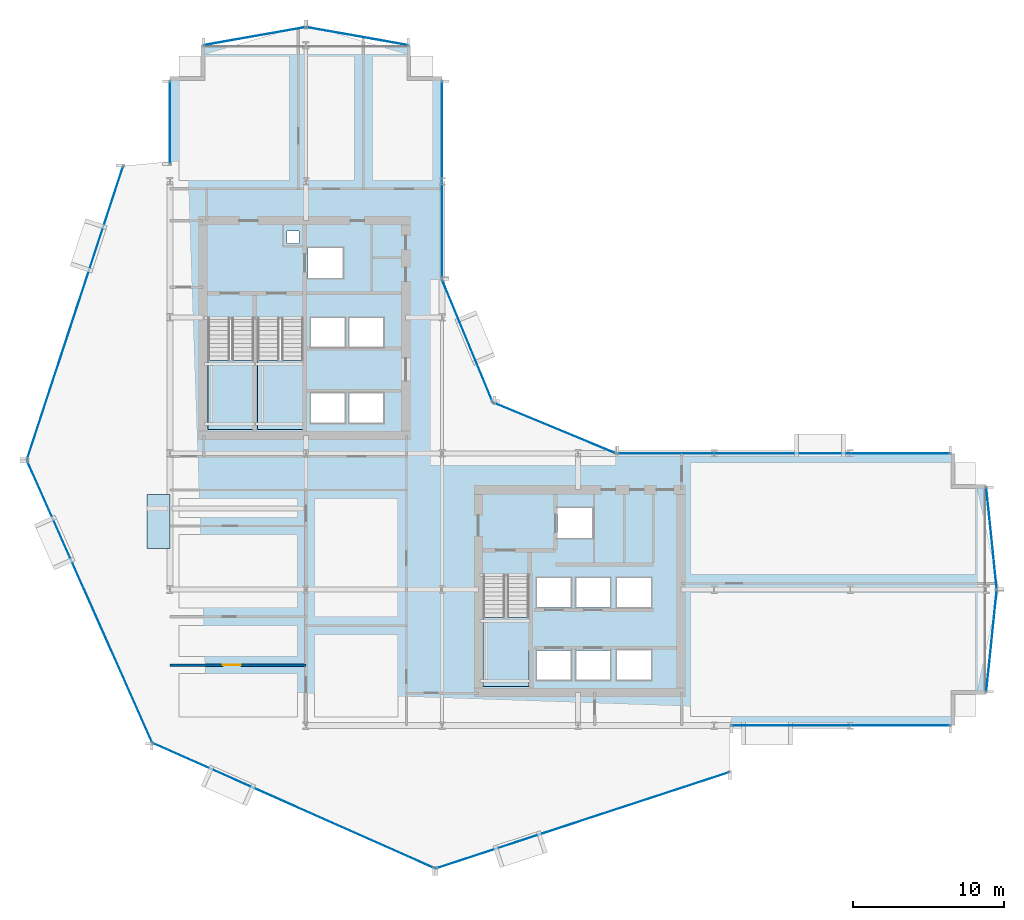
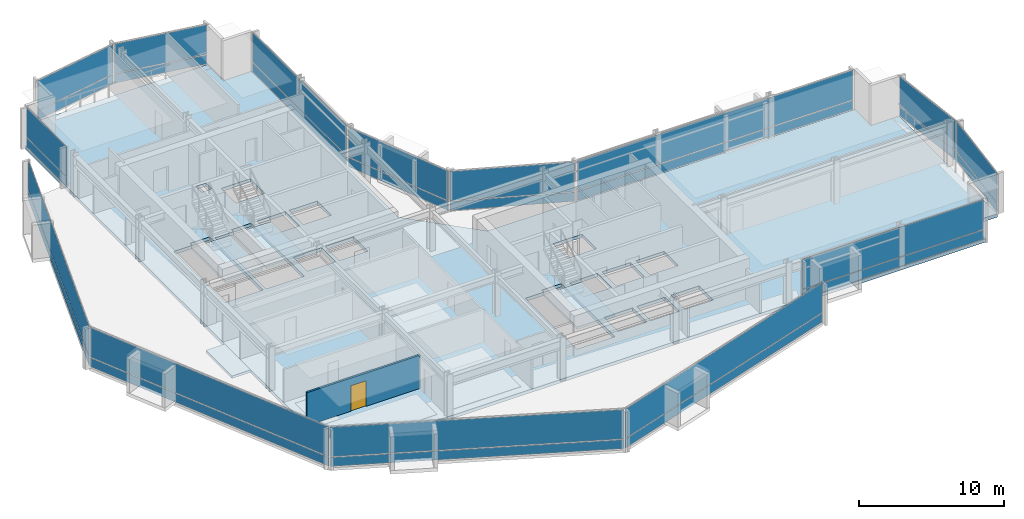
# One storey, part 26 of 34: 28 plates, 5 slabs, 1 door, 1 wall, 1 opening, 17 elements without a shape of their own.
"""IFC4 building model written with IfcOpenShell, lengths in metres."""

from ifc_helpers import new_model, si_unit, direction, frame, frame_2d, origin, origin_2d, place, context, subcontext, project, spatial, polyline, rectangle, outline, extrude, material, layer, layer_set, type_object, element, fill, aggregate, save


model = new_model("IFC4")

# Units and contexts
model_context = context("Model", 3, precision=1e-05, world=origin(), true_north=direction((0.0, 1.0)))
body_context = subcontext(model_context, "Body", "Model", "MODEL_VIEW")
ifc_project = project(units=[si_unit("LENGTHUNIT", "METRE"), si_unit("AREAUNIT", "SQUARE_METRE"), si_unit("VOLUMEUNIT", "CUBIC_METRE"), si_unit("PLANEANGLEUNIT", "RADIAN"), si_unit("MASSUNIT", "GRAM", prefix="KILO")], contexts=[model_context])

# Site, building, storey
site_placement = place(None, origin())
site = spatial("IfcSite", under=ifc_project, at=site_placement, CompositionType="ELEMENT")
building_placement = place(site_placement, origin())
building = spatial("IfcBuilding", under=site, at=building_placement, Name="Solvaryn Broadcast Tower", CompositionType="ELEMENT")
storey_placement = place(building_placement, frame((0.0, 0.0, 61.89990234375)))
storey = spatial("IfcBuildingStorey", under=building, at=storey_placement, Name="L14", CompositionType="ELEMENT", Elevation=61.89990234375)

# Curtain wall, plates
ifc_material_1 = material(Name="Aluminium and Terracotta Unitised Curtain Wall", Category="masonry")
ifc_layer_1 = layer(ifc_material_1, 0.199951171875)
ifc_layer_set_1 = layer_set([ifc_layer_1], Name="CW-SYS2-LOWMID")
curtain_wall_type = type_object("IfcCurtainWallType", Name="CW-SYS2-LOWMID", PredefinedType="NOTDEFINED", material=ifc_layer_set_1)
curtain_wall_1_placement = place(storey_placement, origin())
curtain_wall_1 = element("IfcCurtainWall", 1, at=curtain_wall_1_placement, inside=storey, type_object=curtain_wall_type, Name="L14 Curtain Wall DR1", PredefinedType="NOTDEFINED")
ifc_material_2 = material(Name="Kiln-Fired Architectural Terracotta Spandrel", Category="masonry")
ifc_layer_2 = layer(ifc_material_2, 0.048095703125)
ifc_layer_set_2 = layer_set([ifc_layer_2], Name="CW-PNL-TERRACOTTA")
plate_type = type_object("IfcPlateType", Name="CW-PNL-TERRACOTTA", PredefinedType="CURTAIN_PANEL", material=ifc_layer_set_2)
plate_1_placement = place(storey_placement, frame((2.72607421875, 36.2880859375, 0.06005859375), z_axis=(0.0, 0.0, 1.0), x_axis=(-0.311594044587, -0.950215318429, 0.0)))
plate_1 = element("IfcPlate", 2, at=plate_1_placement, type_object=plate_type, Name="CWS2 panel 1.1", PredefinedType="CURTAIN_PANEL", context=body_context, shape_type="SweptSolid", body=[
    extrude(rectangle(XDim=20.35546875, YDim=0.028076171875, at=origin_2d()), origin(), (0.0, 0.0, 1.0), 0.760009765625),
])
plate_2_placement = place(storey_placement, frame((2.72607421875, 36.2880859375, 0.880126953125), z_axis=(0.0, 0.0, 1.0), x_axis=(-0.311594044587, -0.950215318429, 0.0)))
plate_2 = element("IfcPlate", 3, at=plate_2_placement, type_object=plate_type, Name="CWS2 panel 1.2", PredefinedType="CURTAIN_PANEL", context=body_context, shape_type="SweptSolid", body=[
    extrude(rectangle(XDim=20.35546875, YDim=0.028076171875, at=origin_2d()), origin(), (0.0, 0.0, 1.0), 2.47998046875),
])
aggregate(curtain_wall_1, [plate_1, plate_2])

curtain_wall_2_placement = place(storey_placement, origin())
curtain_wall_2 = element("IfcCurtainWall", 4, at=curtain_wall_2_placement, inside=storey, type_object=curtain_wall_type, Name="L14 Curtain Wall DR2", PredefinedType="NOTDEFINED")
plate_3_placement = place(storey_placement, frame((3.69140625, 17.20361328125, 0.06005859375), z_axis=(0.0, 0.0, 1.0), x_axis=(0.405898286554, -0.913918257271, 0.0)))
plate_3 = element("IfcPlate", 5, at=plate_3_placement, type_object=plate_type, Name="CWS2 panel 1.1", PredefinedType="CURTAIN_PANEL", context=body_context, shape_type="SweptSolid", body=[
    extrude(rectangle(XDim=20.35546875, YDim=0.028076171875, at=origin_2d()), origin(), (0.0, 0.0, 1.0), 0.760009765625),
])
plate_4_placement = place(storey_placement, frame((3.69140625, 17.20361328125, 0.880126953125), z_axis=(0.0, 0.0, 1.0), x_axis=(0.405898286554, -0.913918257271, 0.0)))
plate_4 = element("IfcPlate", 6, at=plate_4_placement, type_object=plate_type, Name="CWS2 panel 1.2", PredefinedType="CURTAIN_PANEL", context=body_context, shape_type="SweptSolid", body=[
    extrude(rectangle(XDim=20.35546875, YDim=0.028076171875, at=origin_2d()), origin(), (0.0, 0.0, 1.0), 2.47998046875),
])
aggregate(curtain_wall_2, [plate_3, plate_4])

curtain_wall_3_placement = place(storey_placement, origin())
curtain_wall_3 = element("IfcCurtainWall", 7, at=curtain_wall_3_placement, inside=storey, type_object=curtain_wall_type, Name="L14 Curtain Wall DR3", PredefinedType="NOTDEFINED")
plate_5_placement = place(storey_placement, frame((17.20361328125, 3.69140625, 0.06005859375), z_axis=(0.0, 0.0, 1.0), x_axis=(0.913918257271, -0.405898286554, 0.0)))
plate_5 = element("IfcPlate", 8, at=plate_5_placement, type_object=plate_type, Name="CWS2 panel 1.1", PredefinedType="CURTAIN_PANEL", context=body_context, shape_type="SweptSolid", body=[
    extrude(rectangle(XDim=20.35546875, YDim=0.028076171875, at=origin_2d()), origin(), (0.0, 0.0, 1.0), 0.760009765625),
])
plate_6_placement = place(storey_placement, frame((17.20361328125, 3.69140625, 0.880126953125), z_axis=(0.0, 0.0, 1.0), x_axis=(0.913918257271, -0.405898286554, 0.0)))
plate_6 = element("IfcPlate", 9, at=plate_6_placement, type_object=plate_type, Name="CWS2 panel 1.2", PredefinedType="CURTAIN_PANEL", context=body_context, shape_type="SweptSolid", body=[
    extrude(rectangle(XDim=20.35546875, YDim=0.028076171875, at=origin_2d()), origin(), (0.0, 0.0, 1.0), 2.47998046875),
])
aggregate(curtain_wall_3, [plate_5, plate_6])

curtain_wall_4_placement = place(storey_placement, origin())
curtain_wall_4 = element("IfcCurtainWall", 10, at=curtain_wall_4_placement, inside=storey, type_object=curtain_wall_type, Name="L14 Curtain Wall DR4", PredefinedType="NOTDEFINED")
plate_7_placement = place(storey_placement, frame((36.2880859375, 2.72607421875, 0.06005859375), z_axis=(0.0, 0.0, 1.0), x_axis=(0.950215318429, 0.311594044587, 0.0)))
plate_7 = element("IfcPlate", 11, at=plate_7_placement, type_object=plate_type, Name="CWS2 panel 1.1", PredefinedType="CURTAIN_PANEL", context=body_context, shape_type="SweptSolid", body=[
    extrude(rectangle(XDim=20.35546875, YDim=0.028076171875, at=origin_2d()), origin(), (0.0, 0.0, 1.0), 0.760009765625),
])
plate_8_placement = place(storey_placement, frame((36.2880859375, 2.72607421875, 0.880126953125), z_axis=(0.0, 0.0, 1.0), x_axis=(0.950215318429, 0.311594044587, 0.0)))
plate_8 = element("IfcPlate", 12, at=plate_8_placement, type_object=plate_type, Name="CWS2 panel 1.2", PredefinedType="CURTAIN_PANEL", context=body_context, shape_type="SweptSolid", body=[
    extrude(rectangle(XDim=20.35546875, YDim=0.028076171875, at=origin_2d()), origin(), (0.0, 0.0, 1.0), 2.47998046875),
])
aggregate(curtain_wall_4, [plate_7, plate_8])

curtain_wall_5_placement = place(storey_placement, origin())
curtain_wall_5 = element("IfcCurtainWall", 13, at=curtain_wall_5_placement, inside=storey, type_object=curtain_wall_type, Name="L14 Curtain Wall W2", PredefinedType="NOTDEFINED")
plate_9_placement = place(storey_placement, frame((9.0, 48.883056640625, 0.06005859375), z_axis=(0.0, 0.0, 1.0), x_axis=(0.0, 1.0, 0.0)))
plate_9 = element("IfcPlate", 14, at=plate_9_placement, type_object=plate_type, Name="CWS2 panel 1.1", PredefinedType="CURTAIN_PANEL", context=body_context, shape_type="SweptSolid", body=[
    extrude(rectangle(XDim=5.4140625, YDim=0.028076171875, at=origin_2d()), origin(), (0.0, 0.0, 1.0), 0.760009765625),
])
plate_10_placement = place(storey_placement, frame((9.0, 48.883056640625, 0.880126953125), z_axis=(0.0, 0.0, 1.0), x_axis=(0.0, 1.0, 0.0)))
plate_10 = element("IfcPlate", 15, at=plate_10_placement, type_object=plate_type, Name="CWS2 panel 1.2", PredefinedType="CURTAIN_PANEL", context=body_context, shape_type="SweptSolid", body=[
    extrude(rectangle(XDim=5.4140625, YDim=0.028076171875, at=origin_2d()), origin(), (0.0, 0.0, 1.0), 2.47998046875),
])
aggregate(curtain_wall_5, [plate_9, plate_10])

curtain_wall_6_placement = place(storey_placement, origin())
curtain_wall_6 = element("IfcCurtainWall", 16, at=curtain_wall_6_placement, inside=storey, type_object=curtain_wall_type, Name="L14 Curtain Wall IV", PredefinedType="NOTDEFINED")
plate_11_placement = place(storey_placement, frame((27.0, 45.125, 0.06005859375), z_axis=(0.0, 0.0, 1.0), x_axis=(0.0, -1.0, 0.0)))
plate_11 = element("IfcPlate", 17, at=plate_11_placement, type_object=plate_type, Name="CWS2 panel 1.1", PredefinedType="CURTAIN_PANEL", context=body_context, shape_type="SweptSolid", body=[
    extrude(rectangle(XDim=12.929931640625, YDim=0.028076171875, at=origin_2d()), origin(), (0.0, 0.0, 1.0), 0.760009765625),
])
plate_12_placement = place(storey_placement, frame((27.0, 45.125, 0.880126953125), z_axis=(0.0, 0.0, 1.0), x_axis=(0.0, -1.0, 0.0)))
plate_12 = element("IfcPlate", 18, at=plate_12_placement, type_object=plate_type, Name="CWS2 panel 1.2", PredefinedType="CURTAIN_PANEL", context=body_context, shape_type="SweptSolid", body=[
    extrude(rectangle(XDim=12.929931640625, YDim=0.028076171875, at=origin_2d()), origin(), (0.0, 0.0, 1.0), 2.47998046875),
])
aggregate(curtain_wall_6, [plate_11, plate_12])

curtain_wall_7_placement = place(storey_placement, origin())
curtain_wall_7 = element("IfcCurtainWall", 19, at=curtain_wall_7_placement, inside=storey, type_object=curtain_wall_type, Name="L14 Curtain Wall CN1", PredefinedType="NOTDEFINED")
plate_13_placement = place(storey_placement, frame((34.43408203125, 28.68408203125, 0.06005859375), z_axis=(0.0, 0.0, 1.0), x_axis=(-0.923894983957, 0.382646127145, 0.0)))
plate_13 = element("IfcPlate", 20, at=plate_13_placement, type_object=plate_type, Name="CWS2 panel 1.1", PredefinedType="CURTAIN_PANEL", context=body_context, shape_type="SweptSolid", body=[
    extrude(rectangle(XDim=8.681884765625, YDim=0.028076171875, at=origin_2d()), origin(), (0.0, 0.0, 1.0), 0.760009765625),
])
plate_14_placement = place(storey_placement, frame((34.43408203125, 28.68408203125, 0.880126953125), z_axis=(0.0, 0.0, 1.0), x_axis=(-0.923894983957, 0.382646127145, 0.0)))
plate_14 = element("IfcPlate", 21, at=plate_14_placement, type_object=plate_type, Name="CWS2 panel 1.2", PredefinedType="CURTAIN_PANEL", context=body_context, shape_type="SweptSolid", body=[
    extrude(rectangle(XDim=8.681884765625, YDim=0.028076171875, at=origin_2d()), origin(), (0.0, 0.0, 1.0), 2.47998046875),
])
aggregate(curtain_wall_7, [plate_13, plate_14])

curtain_wall_8_placement = place(storey_placement, origin())
curtain_wall_8 = element("IfcCurtainWall", 22, at=curtain_wall_8_placement, inside=storey, type_object=curtain_wall_type, Name="L14 Curtain Wall CN2", PredefinedType="NOTDEFINED")
plate_15_placement = place(storey_placement, frame((28.68408203125, 34.43408203125, 0.06005859375), z_axis=(0.0, 0.0, 1.0), x_axis=(-0.382646127145, 0.923894983957, 0.0)))
plate_15 = element("IfcPlate", 23, at=plate_15_placement, type_object=plate_type, Name="CWS2 panel 1.1", PredefinedType="CURTAIN_PANEL", context=body_context, shape_type="SweptSolid", body=[
    extrude(rectangle(XDim=8.681884765625, YDim=0.028076171875, at=origin_2d()), origin(), (0.0, 0.0, 1.0), 0.760009765625),
])
plate_16_placement = place(storey_placement, frame((28.68408203125, 34.43408203125, 0.880126953125), z_axis=(0.0, 0.0, 1.0), x_axis=(-0.382646127145, 0.923894983957, 0.0)))
plate_16 = element("IfcPlate", 24, at=plate_16_placement, type_object=plate_type, Name="CWS2 panel 1.2", PredefinedType="CURTAIN_PANEL", context=body_context, shape_type="SweptSolid", body=[
    extrude(rectangle(XDim=8.681884765625, YDim=0.028076171875, at=origin_2d()), origin(), (0.0, 0.0, 1.0), 2.47998046875),
])
aggregate(curtain_wall_8, [plate_15, plate_16])

curtain_wall_9_placement = place(storey_placement, origin())
curtain_wall_9 = element("IfcCurtainWall", 25, at=curtain_wall_9_placement, inside=storey, type_object=curtain_wall_type, Name="L14 Curtain Wall S2", PredefinedType="NOTDEFINED")
plate_17_placement = place(storey_placement, frame((53.383056640625, 9.0, 0.06005859375), z_axis=(0.0, 0.0, 1.0), x_axis=(1.0, 0.0, 0.0)))
plate_17 = element("IfcPlate", 26, at=plate_17_placement, type_object=plate_type, Name="CWS2 panel 1.1", PredefinedType="CURTAIN_PANEL", context=body_context, shape_type="SweptSolid", body=[
    extrude(rectangle(XDim=14.4140625, YDim=0.028076171875, at=origin_2d()), origin(), (0.0, 0.0, 1.0), 0.760009765625),
])
plate_18_placement = place(storey_placement, frame((53.383056640625, 9.0, 0.880126953125), z_axis=(0.0, 0.0, 1.0), x_axis=(1.0, 0.0, 0.0)))
plate_18 = element("IfcPlate", 27, at=plate_18_placement, type_object=plate_type, Name="CWS2 panel 1.2", PredefinedType="CURTAIN_PANEL", context=body_context, shape_type="SweptSolid", body=[
    extrude(rectangle(XDim=14.4140625, YDim=0.028076171875, at=origin_2d()), origin(), (0.0, 0.0, 1.0), 2.47998046875),
])
aggregate(curtain_wall_9, [plate_17, plate_18])

curtain_wall_10_placement = place(storey_placement, origin())
curtain_wall_10 = element("IfcCurtainWall", 28, at=curtain_wall_10_placement, inside=storey, type_object=curtain_wall_type, Name="L14 Curtain Wall NT1", PredefinedType="NOTDEFINED")
plate_19_placement = place(storey_placement, frame((21.39990234375, 54.60009765625, 0.06005859375), z_axis=(0.0, 0.0, 1.0), x_axis=(-0.984783558819, 0.173785333901, 0.0)))
plate_19 = element("IfcPlate", 29, at=plate_19_placement, type_object=plate_type, Name="CWS2 panel 1.1", PredefinedType="CURTAIN_PANEL", context=body_context, shape_type="SweptSolid", body=[
    extrude(rectangle(XDim=6.78515625, YDim=0.028076171875, at=origin_2d()), origin(), (0.0, 0.0, 1.0), 0.760009765625),
])
plate_20_placement = place(storey_placement, frame((21.39990234375, 54.60009765625, 0.880126953125), z_axis=(0.0, 0.0, 1.0), x_axis=(-0.984783558819, 0.173785333901, 0.0)))
plate_20 = element("IfcPlate", 30, at=plate_20_placement, type_object=plate_type, Name="CWS2 panel 1.2", PredefinedType="CURTAIN_PANEL", context=body_context, shape_type="SweptSolid", body=[
    extrude(rectangle(XDim=6.78515625, YDim=0.028076171875, at=origin_2d()), origin(), (0.0, 0.0, 1.0), 2.47998046875),
])
aggregate(curtain_wall_10, [plate_19, plate_20])

curtain_wall_11_placement = place(storey_placement, origin())
curtain_wall_11 = element("IfcCurtainWall", 31, at=curtain_wall_11_placement, inside=storey, type_object=curtain_wall_type, Name="L14 Curtain Wall NT2", PredefinedType="NOTDEFINED")
plate_21_placement = place(storey_placement, frame((14.60009765625, 54.60009765625, 0.06005859375), z_axis=(0.0, 0.0, 1.0), x_axis=(-0.984783558819, -0.173785333901, 0.0)))
plate_21 = element("IfcPlate", 32, at=plate_21_placement, type_object=plate_type, Name="CWS2 panel 1.1", PredefinedType="CURTAIN_PANEL", context=body_context, shape_type="SweptSolid", body=[
    extrude(rectangle(XDim=6.78515625, YDim=0.028076171875, at=origin_2d()), origin(), (0.0, 0.0, 1.0), 0.760009765625),
])
plate_22_placement = place(storey_placement, frame((14.60009765625, 54.60009765625, 0.880126953125), z_axis=(0.0, 0.0, 1.0), x_axis=(-0.984783558819, -0.173785333901, 0.0)))
plate_22 = element("IfcPlate", 33, at=plate_22_placement, type_object=plate_type, Name="CWS2 panel 1.2", PredefinedType="CURTAIN_PANEL", context=body_context, shape_type="SweptSolid", body=[
    extrude(rectangle(XDim=6.78515625, YDim=0.028076171875, at=origin_2d()), origin(), (0.0, 0.0, 1.0), 2.47998046875),
])
aggregate(curtain_wall_11, [plate_21, plate_22])

curtain_wall_12_placement = place(storey_placement, origin())
curtain_wall_12 = element("IfcCurtainWall", 34, at=curtain_wall_12_placement, inside=storey, type_object=curtain_wall_type, Name="L14 Curtain Wall ET1", PredefinedType="NOTDEFINED")
plate_23_placement = place(storey_placement, frame((63.35009765625, 21.39990234375, 0.06005859375), z_axis=(0.0, 0.0, 1.0), x_axis=(0.10240004548, -0.99474329889, 0.0)))
plate_23 = element("IfcPlate", 35, at=plate_23_placement, type_object=plate_type, Name="CWS2 panel 1.1", PredefinedType="CURTAIN_PANEL", context=body_context, shape_type="SweptSolid", body=[
    extrude(rectangle(XDim=6.7158203125, YDim=0.028076171875, at=origin_2d()), origin(), (0.0, 0.0, 1.0), 0.760009765625),
])
plate_24_placement = place(storey_placement, frame((63.35009765625, 21.39990234375, 0.880126953125), z_axis=(0.0, 0.0, 1.0), x_axis=(0.10240004548, -0.99474329889, 0.0)))
plate_24 = element("IfcPlate", 36, at=plate_24_placement, type_object=plate_type, Name="CWS2 panel 1.2", PredefinedType="CURTAIN_PANEL", context=body_context, shape_type="SweptSolid", body=[
    extrude(rectangle(XDim=6.7158203125, YDim=0.028076171875, at=origin_2d()), origin(), (0.0, 0.0, 1.0), 2.47998046875),
])
aggregate(curtain_wall_12, [plate_23, plate_24])

curtain_wall_13_placement = place(storey_placement, origin())
curtain_wall_13 = element("IfcCurtainWall", 37, at=curtain_wall_13_placement, inside=storey, type_object=curtain_wall_type, Name="L14 Curtain Wall ET2", PredefinedType="NOTDEFINED")
plate_25_placement = place(storey_placement, frame((63.35009765625, 14.60009765625, 0.06005859375), z_axis=(0.0, 0.0, 1.0), x_axis=(-0.10240004548, -0.99474329889, 0.0)))
plate_25 = element("IfcPlate", 38, at=plate_25_placement, type_object=plate_type, Name="CWS2 panel 1.1", PredefinedType="CURTAIN_PANEL", context=body_context, shape_type="SweptSolid", body=[
    extrude(rectangle(XDim=6.7158203125, YDim=0.028076171875, at=origin_2d()), origin(), (0.0, 0.0, 1.0), 0.760009765625),
])
plate_26_placement = place(storey_placement, frame((63.35009765625, 14.60009765625, 0.880126953125), z_axis=(0.0, 0.0, 1.0), x_axis=(-0.10240004548, -0.99474329889, 0.0)))
plate_26 = element("IfcPlate", 39, at=plate_26_placement, type_object=plate_type, Name="CWS2 panel 1.2", PredefinedType="CURTAIN_PANEL", context=body_context, shape_type="SweptSolid", body=[
    extrude(rectangle(XDim=6.7158203125, YDim=0.028076171875, at=origin_2d()), origin(), (0.0, 0.0, 1.0), 2.47998046875),
])
aggregate(curtain_wall_13, [plate_25, plate_26])

curtain_wall_14_placement = place(storey_placement, origin())
curtain_wall_14 = element("IfcCurtainWall", 40, at=curtain_wall_14_placement, inside=storey, type_object=curtain_wall_type, Name="L14 Curtain Wall IH", PredefinedType="NOTDEFINED")
plate_27_placement = place(storey_placement, frame((49.625, 27.0, 0.06005859375), z_axis=(0.0, 0.0, 1.0), x_axis=(1.0, 0.0, 0.0)))
plate_27 = element("IfcPlate", 41, at=plate_27_placement, type_object=plate_type, Name="CWS2 panel 1.1", PredefinedType="CURTAIN_PANEL", context=body_context, shape_type="SweptSolid", body=[
    extrude(rectangle(XDim=21.929931640625, YDim=0.028076171875, at=origin_2d()), origin(), (0.0, 0.0, 1.0), 0.760009765625),
])
plate_28_placement = place(storey_placement, frame((49.625, 27.0, 0.880126953125), z_axis=(0.0, 0.0, 1.0), x_axis=(1.0, 0.0, 0.0)))
plate_28 = element("IfcPlate", 42, at=plate_28_placement, type_object=plate_type, Name="CWS2 panel 1.2", PredefinedType="CURTAIN_PANEL", context=body_context, shape_type="SweptSolid", body=[
    extrude(rectangle(XDim=21.929931640625, YDim=0.028076171875, at=origin_2d()), origin(), (0.0, 0.0, 1.0), 2.47998046875),
])
aggregate(curtain_wall_14, [plate_27, plate_28])

# Slab
ifc_material_3 = material(Name="Concrete f'c 60 MPa", Category="concrete")
ifc_layer_3 = layer(ifc_material_3, 0.2099609375)
ifc_layer_set_3 = layer_set([ifc_layer_3], Name="SL-BAYBOX-210")
slab_type_1 = type_object("IfcSlabType", Name="SL-BAYBOX-210", PredefinedType="FLOOR", material=ifc_layer_set_3)
slab_1_placement = place(storey_placement, frame((0.0, 0.0, -0.2099609375)))
element("IfcSlab", 43, at=slab_1_placement, inside=storey, type_object=slab_type_1, Name="L14 Projecting Bay-Box Slab 1", PredefinedType="FLOOR", context=body_context, shape_type="SweptSolid", body=[
    extrude(outline(polyline([(7.5, 20.699951171875), (9.0, 20.699951171875), (9.0, 24.300048828125), (7.5, 24.300048828125), (7.5, 20.699951171875)])), origin(), (0.0, 0.0, 1.0), 0.2099609375),
])

# Stair, slab
ifc_material_4 = material(Name="Concrete f'c 60 MPa", Category="concrete")
stair_type = type_object("IfcStairType", Name="ST-CORE", PredefinedType="HALF_TURN_STAIR", material=ifc_material_4)
stair_1_placement = place(storey_placement, origin())
stair_1 = element("IfcStair", 44, at=stair_1_placement, inside=storey, type_object=stair_type, Name="L14 ST1", PredefinedType="HALF_TURN_STAIR")
ifc_material_5 = material(Name="Concrete f'c 60 MPa", Category="concrete")
ifc_layer_4 = layer(ifc_material_5, 0.199951171875)
ifc_layer_set_4 = layer_set([ifc_layer_4], Name="SL-LANDING-200")
slab_type_2 = type_object("IfcSlabType", Name="SL-LANDING-200", PredefinedType="LANDING", material=ifc_layer_set_4)
slab_2_placement = place(storey_placement, frame((0.0, 0.0, 1.650146484375)))
slab_2 = element("IfcSlab", 45, at=slab_2_placement, type_object=slab_type_2, Name="ST1 landing 1", PredefinedType="LANDING", context=body_context, shape_type="SweptSolid", body=[
    extrude(outline(polyline([(11.52001953125, 33.159912109375), (11.52001953125, 28.60009765625), (14.550048828125, 28.60009765625), (14.550048828125, 33.159912109375), (11.52001953125, 33.159912109375)])), origin(), (0.0, 0.0, 1.0), 0.199951171875),
])
aggregate(stair_1, [slab_2])

stair_2_placement = place(storey_placement, origin())
stair_2 = element("IfcStair", 46, at=stair_2_placement, inside=storey, type_object=stair_type, Name="L14 ST2", PredefinedType="HALF_TURN_STAIR")
slab_3_placement = place(storey_placement, frame((0.0, 0.0, 1.650146484375)))
slab_3 = element("IfcSlab", 47, at=slab_3_placement, type_object=slab_type_2, Name="ST2 landing 1", PredefinedType="LANDING", context=body_context, shape_type="SweptSolid", body=[
    extrude(outline(polyline([(14.800048828125, 33.159912109375), (14.800048828125, 28.60009765625), (17.830078125, 28.60009765625), (17.830078125, 33.159912109375), (14.800048828125, 33.159912109375)])), origin(), (0.0, 0.0, 1.0), 0.199951171875),
])
aggregate(stair_2, [slab_3])

stair_3_placement = place(storey_placement, origin())
stair_3 = element("IfcStair", 48, at=stair_3_placement, inside=storey, type_object=stair_type, Name="L14 ST3", PredefinedType="HALF_TURN_STAIR")
slab_4_placement = place(storey_placement, frame((0.0, 0.0, 1.650146484375)))
slab_4 = element("IfcSlab", 49, at=slab_4_placement, type_object=slab_type_2, Name="ST3 landing 1", PredefinedType="LANDING", context=body_context, shape_type="SweptSolid", body=[
    extrude(outline(polyline([(29.719970703125, 16.159912109375), (29.719970703125, 11.60009765625), (32.75, 11.60009765625), (32.75, 16.159912109375), (29.719970703125, 16.159912109375)])), origin(), (0.0, 0.0, 1.0), 0.199951171875),
])
aggregate(stair_3, [slab_4])

# Slab
ifc_material_6 = material(Name="Concrete f'c 60 MPa", Category="concrete")
ifc_layer_5 = layer(ifc_material_6, 0.280029296875)
ifc_layer_set_5 = layer_set([ifc_layer_5], Name="SL-TWR-280")
slab_type_3 = type_object("IfcSlabType", Name="SL-TWR-280", PredefinedType="FLOOR", material=ifc_layer_set_5)
slab_5_placement = place(storey_placement, frame((0.0, 0.0, -0.27978515625)))
element("IfcSlab", 50, at=slab_5_placement, inside=storey, type_object=slab_type_3, Name="L14 Structural Floor Slab", PredefinedType="FLOOR", context=body_context, shape_type="SweptSolid", body=[
    extrude(outline(polyline([(11.199951171875, 9.0), (60.800048828125, 9.0), (60.800048828125, 11.199951171875), (63.0, 11.199951171875), (63.0, 24.800048828125), (60.800048828125, 24.800048828125), (60.800048828125, 27.0), (31.5, 27.0), (27.0, 31.5), (27.0, 51.800048828125), (24.800048828125, 51.800048828125), (24.800048828125, 54.0), (11.199951171875, 54.0), (11.199951171875, 51.800048828125), (9.0, 51.800048828125), (9.0, 11.199951171875), (11.199951171875, 11.199951171875), (11.199951171875, 9.0)]), holes=[polyline([(11.52001953125, 28.60009765625), (14.550048828125, 28.60009765625), (14.550048828125, 35.9599609375), (12.97998046875, 35.9599609375), (12.97998046875, 35.679931640625), (11.52001953125, 35.679931640625), (11.52001953125, 28.60009765625)]), polyline([(14.800048828125, 28.60009765625), (17.830078125, 28.60009765625), (17.830078125, 35.9599609375), (16.260009765625, 35.9599609375), (16.260009765625, 35.679931640625), (14.800048828125, 35.679931640625), (14.800048828125, 28.60009765625)]), polyline([(29.719970703125, 11.60009765625), (32.75, 11.60009765625), (32.75, 18.9599609375), (31.179931640625, 18.9599609375), (31.179931640625, 18.679931640625), (29.719970703125, 18.679931640625), (29.719970703125, 11.60009765625)]), polyline([(18.14990234375, 38.60009765625), (20.449951171875, 38.60009765625), (20.449951171875, 40.60009765625), (18.14990234375, 40.60009765625), (18.14990234375, 38.60009765625)]), polyline([(18.324951171875, 29.02490234375), (20.574951171875, 29.02490234375), (20.574951171875, 30.97509765625), (18.324951171875, 30.97509765625), (18.324951171875, 29.02490234375)]), polyline([(20.875, 29.02490234375), (23.125, 29.02490234375), (23.125, 30.97509765625), (20.875, 30.97509765625), (20.875, 29.02490234375)]), polyline([(18.324951171875, 34.02490234375), (20.574951171875, 34.02490234375), (20.574951171875, 35.97509765625), (18.324951171875, 35.97509765625), (18.324951171875, 34.02490234375)]), polyline([(20.875, 34.02490234375), (23.125, 34.02490234375), (23.125, 35.97509765625), (20.875, 35.97509765625), (20.875, 34.02490234375)]), polyline([(34.64990234375, 21.39990234375), (36.949951171875, 21.39990234375), (36.949951171875, 23.39990234375), (34.64990234375, 23.39990234375), (34.64990234375, 21.39990234375)]), polyline([(33.27490234375, 12.02490234375), (35.52490234375, 12.02490234375), (35.52490234375, 13.97509765625), (33.27490234375, 13.97509765625), (33.27490234375, 12.02490234375)]), polyline([(35.875, 12.02490234375), (38.125, 12.02490234375), (38.125, 13.97509765625), (35.875, 13.97509765625), (35.875, 12.02490234375)]), polyline([(33.27490234375, 16.824951171875), (35.52490234375, 16.824951171875), (35.52490234375, 18.77490234375), (33.27490234375, 18.77490234375), (33.27490234375, 16.824951171875)]), polyline([(35.875, 16.824951171875), (38.125, 16.824951171875), (38.125, 18.77490234375), (35.875, 18.77490234375), (35.875, 16.824951171875)]), polyline([(38.574951171875, 12.02490234375), (40.824951171875, 12.02490234375), (40.824951171875, 13.97509765625), (38.574951171875, 13.97509765625), (38.574951171875, 12.02490234375)]), polyline([(38.574951171875, 16.824951171875), (40.824951171875, 16.824951171875), (40.824951171875, 18.77490234375), (38.574951171875, 18.77490234375), (38.574951171875, 16.824951171875)]), polyline([(16.75, 40.89990234375), (17.550048828125, 40.89990234375), (17.550048828125, 41.699951171875), (16.75, 41.699951171875), (16.75, 40.89990234375)])]), origin(), (0.0, 0.0, 1.0), 0.27978515625),
])

# Wall, opening, door
ifc_material_7 = material(Name="Metal-Stud Gypsum Office Partition")
ifc_layer_6 = layer(ifc_material_7, 0.159912109375)
ifc_layer_set_6 = layer_set([ifc_layer_6], Name="IW-PART-160")
wall_type = type_object("IfcWallType", Name="IW-PART-160", PredefinedType="PARTITIONING", material=ifc_layer_set_6)
wall_placement = place(storey_placement, frame((9.0, 13.0, 0.0), z_axis=(0.0, 0.0, 1.0), x_axis=(1.0, 0.0, 0.0)))
wall = element("IfcWall", 51, at=wall_placement, inside=storey, type_object=wall_type, Name="L14 Interior Partition IW-L14-SWW-H1", PredefinedType="PARTITIONING", context=body_context, shape_type="SweptSolid", body=[
    extrude(rectangle(XDim=9.0, YDim=0.159912109375, at=frame_2d((4.5, 0.0))), origin(), (0.0, 0.0, 1.0), 2.7919921875),
])
opening_placement = place(wall_placement, frame((3.5, 0.0, 0.0)))
opening = element("IfcOpeningElement", 52, at=opening_placement, cuts=wall, Name="Opening ID04", PredefinedType="OPENING", context=body_context, shape_type="SweptSolid", body=[
    extrude(rectangle(XDim=1.199951171875, YDim=2.14990234375, at=frame_2d((0.60009765625, 1.074951171875))), frame((0.0, 0.090087890625, 0.0), z_axis=(0.0, -1.0, 0.0), x_axis=(1.0, 0.0, 0.0)), (0.0, 0.0, 1.0), 0.179931640625),
])
ifc_material_8 = material(Name="Flush Acoustic Steel and Timber Door Assembly", Category="steel")
door_type = type_object("IfcDoorType", Name="ID-04-1200X2150", OperationType="NOTDEFINED", PredefinedType="DOOR", material=ifc_material_8)
door_placement = place(opening_placement, origin())
door = element("IfcDoor", 53, at=door_placement, inside=storey, type_object=door_type, Name="L14 Door DR-L14-SWW-1", OperationType="SINGLE_SWING_LEFT", OverallHeight=2.14990234375, OverallWidth=1.199951171875, PredefinedType="DOOR", context=body_context, shape_type="SweptSolid", body=[
    extrude(rectangle(XDim=1.199951171875, YDim=2.14990234375, at=frame_2d((0.60009765625, 1.074951171875))), frame((0.0, 0.02490234375, 0.0), z_axis=(0.0, -1.0, 0.0), x_axis=(1.0, 0.0, 0.0)), (0.0, 0.0, 1.0), 0.050048828125),
])
fill(opening, door)

save(model, "model.ifc")
